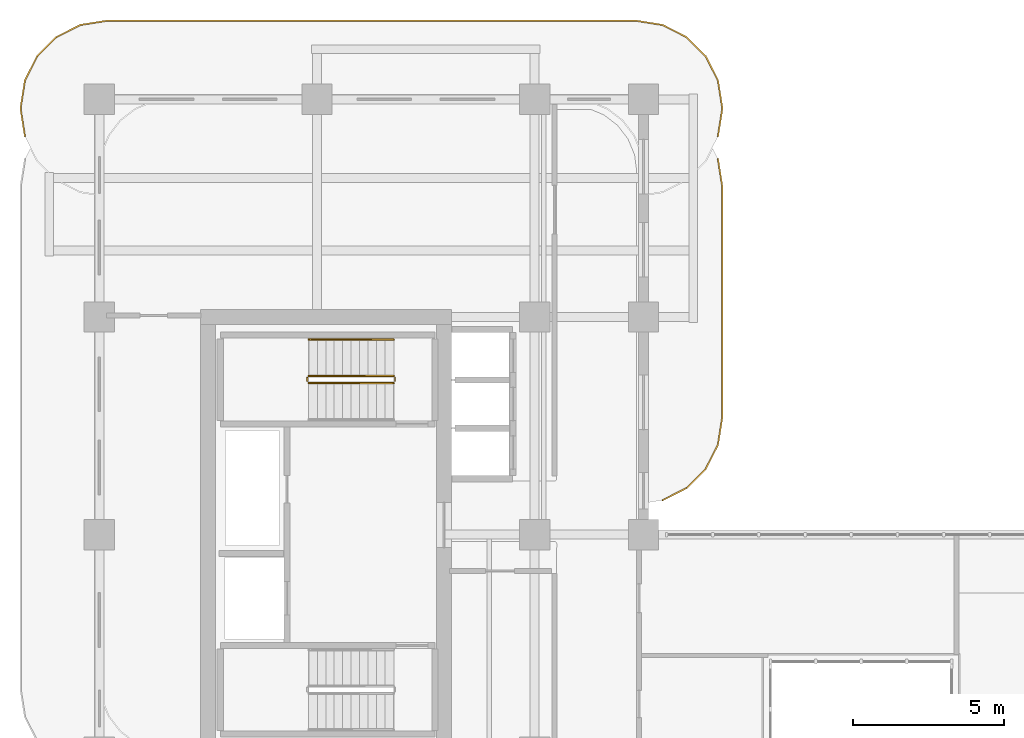
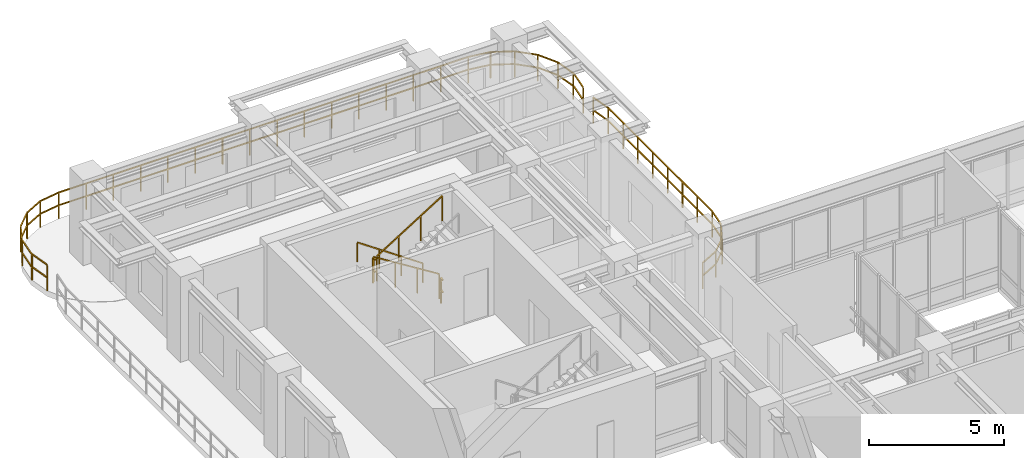
# One storey, part 20 of 20: 7 railings.
"""IFC4 building model written with IfcOpenShell, lengths in metres."""

from ifc_helpers import new_model, si_unit, derived_unit, direction, frame, origin, origin_2d, place, context, subcontext, project, spatial, rectangle, extrude, material, type_object, element, save


model = new_model("IFC4")

# Units and contexts
model_context = context("Model", 3, precision=1e-05, world=origin(), true_north=direction((0.0, 1.0)))
body_context = subcontext(model_context, "Body", "Model", "MODEL_VIEW")
ifc_project = project(units=[si_unit("LENGTHUNIT", "METRE"), si_unit("AREAUNIT", "SQUARE_METRE"), si_unit("VOLUMEUNIT", "CUBIC_METRE"), si_unit("PLANEANGLEUNIT", "RADIAN"), si_unit("MASSUNIT", "GRAM", prefix="KILO"), si_unit("THERMODYNAMICTEMPERATUREUNIT", "KELVIN"), si_unit("POWERUNIT", "WATT"), derived_unit("THERMALTRANSMITTANCEUNIT", [(si_unit("POWERUNIT", "WATT"), 1), (si_unit("AREAUNIT", "SQUARE_METRE"), -1), (si_unit("THERMODYNAMICTEMPERATUREUNIT", "KELVIN"), -1)])], contexts=[model_context])

# Site, building, storey
site_placement = place(None, origin())
site = spatial("IfcSite", under=ifc_project, at=site_placement, CompositionType="ELEMENT")
building_placement = place(site_placement, origin())
building = spatial("IfcBuilding", under=site, at=building_placement, Name="Zahravan Archway Hotel and Residences", CompositionType="ELEMENT")
storey_placement = place(building_placement, frame((0.0, 0.0, 154.14990234375)))
storey = spatial("IfcBuildingStorey", under=building, at=storey_placement, Name="L38", CompositionType="ELEMENT", Elevation=154.14990234375)

# Railings
ifc_material_1 = material(Name="Bronze & Laminated Glass Balustrade", Category="glass")
railing_type_1 = type_object("IfcRailingType", Name="RL-BAL-1200", PredefinedType="BALUSTRADE", material=ifc_material_1)
railing_1_placement = place(storey_placement, frame((-2.46044921875, 45.5693359375, 0.0)))
element("IfcRailing", 1, at=railing_1_placement, inside=storey, type_object=railing_type_1, Name="L38 Balustrade RL-SLB-BAL-L38-NB-1", PredefinedType="BALUSTRADE", context=body_context, shape_type="SweptSolid", body=[
    extrude(rectangle(XDim=0.048095703125, YDim=0.048095703125, at=origin_2d()), frame((0.0, 0.0, 1.17578125), z_axis=(-0.156623399917, 0.987658397726, 0.0), x_axis=(-0.987658397726, -0.156623399917, 0.0)), (0.0, 0.0, 1.0), 0.8916015625),
    extrude(rectangle(XDim=0.048095703125, YDim=0.048095703125, at=origin_2d()), frame((0.0, 0.0, 0.60009765625), z_axis=(-0.156623399917, 0.987658397726, 0.0), x_axis=(-0.987658397726, -0.156623399917, 0.0)), (0.0, 0.0, 1.0), 0.8916015625),
    extrude(rectangle(XDim=0.048095703125, YDim=0.048095703125, at=origin_2d()), frame((-0.1396484375, 0.880615234375, 1.17578125), z_axis=(0.0, 1.0, 0.0), x_axis=(-1.0, 0.0, 0.0)), (0.0, 0.0, 1.0), 0.10009765625),
    extrude(rectangle(XDim=0.048095703125, YDim=0.048095703125, at=origin_2d()), frame((-0.1396484375, 0.880615234375, 0.60009765625), z_axis=(0.0, 1.0, 0.0), x_axis=(-1.0, 0.0, 0.0)), (0.0, 0.0, 1.0), 0.10009765625),
    extrude(rectangle(XDim=0.048095703125, YDim=0.048095703125, at=origin_2d()), frame((-0.1396484375, 0.980712890625, 1.17578125), z_axis=(0.156623399917, 0.987658397726, 0.0), x_axis=(-0.987658397726, 0.156623399917, 0.0)), (0.0, 0.0, 1.0), 0.8916015625),
    extrude(rectangle(XDim=0.048095703125, YDim=0.048095703125, at=origin_2d()), frame((-0.1396484375, 0.980712890625, 0.60009765625), z_axis=(0.156623399917, 0.987658397726, 0.0), x_axis=(-0.987658397726, 0.156623399917, 0.0)), (0.0, 0.0, 1.0), 0.8916015625),
    extrude(rectangle(XDim=0.048095703125, YDim=0.048095703125, at=origin_2d()), frame((0.0, 1.861328125, 1.17578125), z_axis=(0.453991409995, 0.891006060389, 0.0), x_axis=(-0.891006060389, 0.453991409995, 0.0)), (0.0, 0.0, 1.0), 0.8916015625),
    extrude(rectangle(XDim=0.048095703125, YDim=0.048095703125, at=origin_2d()), frame((0.0, 1.861328125, 0.60009765625), z_axis=(0.453991409995, 0.891006060389, 0.0), x_axis=(-0.891006060389, 0.453991409995, 0.0)), (0.0, 0.0, 1.0), 0.8916015625),
    extrude(rectangle(XDim=0.048095703125, YDim=0.048095703125, at=origin_2d()), frame((0.40478515625, 2.65576171875, 1.17578125), z_axis=(0.706969864397, 0.70724367147, 0.0), x_axis=(-0.70724367147, 0.706969864397, 0.0)), (0.0, 0.0, 1.0), 0.8916015625),
    extrude(rectangle(XDim=0.048095703125, YDim=0.048095703125, at=origin_2d()), frame((0.40478515625, 2.65576171875, 0.60009765625), z_axis=(0.706969864397, 0.70724367147, 0.0), x_axis=(-0.70724367147, 0.706969864397, 0.0)), (0.0, 0.0, 1.0), 0.8916015625),
    extrude(rectangle(XDim=0.048095703125, YDim=0.048095703125, at=origin_2d()), frame((1.03515625, 3.286376953125, 1.17578125), z_axis=(0.891062476022, 0.45388067135, 0.0), x_axis=(-0.45388067135, 0.891062476022, 0.0)), (0.0, 0.0, 1.0), 0.891845703125),
    extrude(rectangle(XDim=0.048095703125, YDim=0.048095703125, at=origin_2d()), frame((1.03515625, 3.286376953125, 0.60009765625), z_axis=(0.891062476022, 0.45388067135, 0.0), x_axis=(-0.45388067135, 0.891062476022, 0.0)), (0.0, 0.0, 1.0), 0.891845703125),
    extrude(rectangle(XDim=0.048095703125, YDim=0.048095703125, at=origin_2d()), frame((1.829833984375, 3.691162109375, 1.17578125), z_axis=(0.987700720307, 0.156356282588, 0.0), x_axis=(-0.156356282588, 0.987700720307, 0.0)), (0.0, 0.0, 1.0), 0.8916015625),
    extrude(rectangle(XDim=0.048095703125, YDim=0.048095703125, at=origin_2d()), frame((1.829833984375, 3.691162109375, 0.60009765625), z_axis=(0.987700720307, 0.156356282588, 0.0), x_axis=(-0.156356282588, 0.987700720307, 0.0)), (0.0, 0.0, 1.0), 0.8916015625),
    extrude(rectangle(XDim=0.048095703125, YDim=0.048095703125, at=origin_2d()), frame((2.71044921875, 3.83056640625, 1.17578125), z_axis=(1.0, 0.0, 0.0), x_axis=(0.0, 1.0, 0.0)), (0.0, 0.0, 1.0), 17.5),
    extrude(rectangle(XDim=0.048095703125, YDim=0.048095703125, at=origin_2d()), frame((2.71044921875, 3.83056640625, 0.60009765625), z_axis=(1.0, 0.0, 0.0), x_axis=(0.0, 1.0, 0.0)), (0.0, 0.0, 1.0), 17.5),
    extrude(rectangle(XDim=0.048095703125, YDim=0.048095703125, at=origin_2d()), frame((20.21044921875, 3.83056640625, 1.17578125), z_axis=(0.987700720307, -0.156356282588, 0.0), x_axis=(0.156356282588, 0.987700720307, 0.0)), (0.0, 0.0, 1.0), 0.8916015625),
    extrude(rectangle(XDim=0.048095703125, YDim=0.048095703125, at=origin_2d()), frame((20.21044921875, 3.83056640625, 0.60009765625), z_axis=(0.987700720307, -0.156356282588, 0.0), x_axis=(0.156356282588, 0.987700720307, 0.0)), (0.0, 0.0, 1.0), 0.8916015625),
    extrude(rectangle(XDim=0.048095703125, YDim=0.048095703125, at=origin_2d()), frame((21.091064453125, 3.691162109375, 1.17578125), z_axis=(0.891062476022, -0.45388067135, 0.0), x_axis=(0.45388067135, 0.891062476022, 0.0)), (0.0, 0.0, 1.0), 0.891845703125),
    extrude(rectangle(XDim=0.048095703125, YDim=0.048095703125, at=origin_2d()), frame((21.091064453125, 3.691162109375, 0.60009765625), z_axis=(0.891062476022, -0.45388067135, 0.0), x_axis=(0.45388067135, 0.891062476022, 0.0)), (0.0, 0.0, 1.0), 0.891845703125),
    extrude(rectangle(XDim=0.048095703125, YDim=0.048095703125, at=origin_2d()), frame((21.8857421875, 3.286376953125, 1.17578125), z_axis=(0.706969864397, -0.70724367147, 0.0), x_axis=(0.70724367147, 0.706969864397, 0.0)), (0.0, 0.0, 1.0), 0.8916015625),
    extrude(rectangle(XDim=0.048095703125, YDim=0.048095703125, at=origin_2d()), frame((21.8857421875, 3.286376953125, 0.60009765625), z_axis=(0.706969864397, -0.70724367147, 0.0), x_axis=(0.70724367147, 0.706969864397, 0.0)), (0.0, 0.0, 1.0), 0.8916015625),
    extrude(rectangle(XDim=0.048095703125, YDim=0.048095703125, at=origin_2d()), frame((22.51611328125, 2.65576171875, 1.17578125), z_axis=(0.453991409995, -0.891006060389, 0.0), x_axis=(0.891006060389, 0.453991409995, 0.0)), (0.0, 0.0, 1.0), 0.8916015625),
    extrude(rectangle(XDim=0.048095703125, YDim=0.048095703125, at=origin_2d()), frame((22.51611328125, 2.65576171875, 0.60009765625), z_axis=(0.453991409995, -0.891006060389, 0.0), x_axis=(0.891006060389, 0.453991409995, 0.0)), (0.0, 0.0, 1.0), 0.8916015625),
    extrude(rectangle(XDim=0.048095703125, YDim=0.048095703125, at=origin_2d()), frame((22.9208984375, 1.861328125, 1.17578125), z_axis=(0.156623399917, -0.987658397726, 0.0), x_axis=(0.987658397726, 0.156623399917, 0.0)), (0.0, 0.0, 1.0), 0.8916015625),
    extrude(rectangle(XDim=0.048095703125, YDim=0.048095703125, at=origin_2d()), frame((22.9208984375, 1.861328125, 0.60009765625), z_axis=(0.156623399917, -0.987658397726, 0.0), x_axis=(0.987658397726, 0.156623399917, 0.0)), (0.0, 0.0, 1.0), 0.8916015625),
    extrude(rectangle(XDim=0.048095703125, YDim=0.048095703125, at=origin_2d()), frame((23.060546875, 0.980712890625, 1.17578125), z_axis=(0.0, -1.0, 0.0), x_axis=(1.0, 0.0, 0.0)), (0.0, 0.0, 1.0), 0.10009765625),
    extrude(rectangle(XDim=0.048095703125, YDim=0.048095703125, at=origin_2d()), frame((23.060546875, 0.980712890625, 0.60009765625), z_axis=(0.0, -1.0, 0.0), x_axis=(1.0, 0.0, 0.0)), (0.0, 0.0, 1.0), 0.10009765625),
    extrude(rectangle(XDim=0.048095703125, YDim=0.048095703125, at=origin_2d()), frame((23.060546875, 0.880615234375, 1.17578125), z_axis=(-0.156623399917, -0.987658397726, 0.0), x_axis=(0.987658397726, -0.156623399917, 0.0)), (0.0, 0.0, 1.0), 0.8916015625),
    extrude(rectangle(XDim=0.048095703125, YDim=0.048095703125, at=origin_2d()), frame((23.060546875, 0.880615234375, 0.60009765625), z_axis=(-0.156623399917, -0.987658397726, 0.0), x_axis=(0.987658397726, -0.156623399917, 0.0)), (0.0, 0.0, 1.0), 0.8916015625),
    extrude(rectangle(XDim=0.0419921875, YDim=0.0419921875, at=origin_2d()), origin(), (0.0, 0.0, 1.0), 1.15185546875),
    extrude(rectangle(XDim=0.0419921875, YDim=0.0419921875, at=origin_2d()), frame((-0.1396484375, 0.880615234375, 0.0)), (0.0, 0.0, 1.0), 1.15185546875),
    extrude(rectangle(XDim=0.0419921875, YDim=0.0419921875, at=origin_2d()), frame((0.0, 1.861328125, 0.0)), (0.0, 0.0, 1.0), 1.15185546875),
    extrude(rectangle(XDim=0.0419921875, YDim=0.0419921875, at=origin_2d()), frame((0.40478515625, 2.65576171875, 0.0)), (0.0, 0.0, 1.0), 1.15185546875),
    extrude(rectangle(XDim=0.0419921875, YDim=0.0419921875, at=origin_2d()), frame((1.03515625, 3.286376953125, 0.0)), (0.0, 0.0, 1.0), 1.15185546875),
    extrude(rectangle(XDim=0.0419921875, YDim=0.0419921875, at=origin_2d()), frame((1.829833984375, 3.691162109375, 0.0)), (0.0, 0.0, 1.0), 1.15185546875),
    extrude(rectangle(XDim=0.0419921875, YDim=0.0419921875, at=origin_2d()), frame((2.71044921875, 3.83056640625, 0.0)), (0.0, 0.0, 1.0), 1.15185546875),
    extrude(rectangle(XDim=0.0419921875, YDim=0.0419921875, at=origin_2d()), frame((3.877197265625, 3.83056640625, 0.0)), (0.0, 0.0, 1.0), 1.15185546875),
    extrude(rectangle(XDim=0.0419921875, YDim=0.0419921875, at=origin_2d()), frame((5.043701171875, 3.83056640625, 0.0)), (0.0, 0.0, 1.0), 1.15185546875),
    extrude(rectangle(XDim=0.0419921875, YDim=0.0419921875, at=origin_2d()), frame((6.21044921875, 3.83056640625, 0.0)), (0.0, 0.0, 1.0), 1.15185546875),
    extrude(rectangle(XDim=0.0419921875, YDim=0.0419921875, at=origin_2d()), frame((7.377197265625, 3.83056640625, 0.0)), (0.0, 0.0, 1.0), 1.15185546875),
    extrude(rectangle(XDim=0.0419921875, YDim=0.0419921875, at=origin_2d()), frame((8.543701171875, 3.83056640625, 0.0)), (0.0, 0.0, 1.0), 1.15185546875),
    extrude(rectangle(XDim=0.0419921875, YDim=0.0419921875, at=origin_2d()), frame((9.71044921875, 3.83056640625, 0.0)), (0.0, 0.0, 1.0), 1.15185546875),
    extrude(rectangle(XDim=0.0419921875, YDim=0.0419921875, at=origin_2d()), frame((10.877197265625, 3.83056640625, 0.0)), (0.0, 0.0, 1.0), 1.15185546875),
    extrude(rectangle(XDim=0.0419921875, YDim=0.0419921875, at=origin_2d()), frame((12.043701171875, 3.83056640625, 0.0)), (0.0, 0.0, 1.0), 1.15185546875),
    extrude(rectangle(XDim=0.0419921875, YDim=0.0419921875, at=origin_2d()), frame((13.21044921875, 3.83056640625, 0.0)), (0.0, 0.0, 1.0), 1.15185546875),
    extrude(rectangle(XDim=0.0419921875, YDim=0.0419921875, at=origin_2d()), frame((14.377197265625, 3.83056640625, 0.0)), (0.0, 0.0, 1.0), 1.15185546875),
    extrude(rectangle(XDim=0.0419921875, YDim=0.0419921875, at=origin_2d()), frame((15.543701171875, 3.83056640625, 0.0)), (0.0, 0.0, 1.0), 1.15185546875),
    extrude(rectangle(XDim=0.0419921875, YDim=0.0419921875, at=origin_2d()), frame((16.71044921875, 3.83056640625, 0.0)), (0.0, 0.0, 1.0), 1.15185546875),
    extrude(rectangle(XDim=0.0419921875, YDim=0.0419921875, at=origin_2d()), frame((17.877197265625, 3.83056640625, 0.0)), (0.0, 0.0, 1.0), 1.15185546875),
    extrude(rectangle(XDim=0.0419921875, YDim=0.0419921875, at=origin_2d()), frame((19.043701171875, 3.83056640625, 0.0)), (0.0, 0.0, 1.0), 1.15185546875),
    extrude(rectangle(XDim=0.0419921875, YDim=0.0419921875, at=origin_2d()), frame((20.21044921875, 3.83056640625, 0.0)), (0.0, 0.0, 1.0), 1.15185546875),
    extrude(rectangle(XDim=0.0419921875, YDim=0.0419921875, at=origin_2d()), frame((21.091064453125, 3.691162109375, 0.0)), (0.0, 0.0, 1.0), 1.15185546875),
    extrude(rectangle(XDim=0.0419921875, YDim=0.0419921875, at=origin_2d()), frame((21.8857421875, 3.286376953125, 0.0)), (0.0, 0.0, 1.0), 1.15185546875),
    extrude(rectangle(XDim=0.0419921875, YDim=0.0419921875, at=origin_2d()), frame((22.51611328125, 2.65576171875, 0.0)), (0.0, 0.0, 1.0), 1.15185546875),
    extrude(rectangle(XDim=0.0419921875, YDim=0.0419921875, at=origin_2d()), frame((22.9208984375, 1.861328125, 0.0)), (0.0, 0.0, 1.0), 1.15185546875),
    extrude(rectangle(XDim=0.0419921875, YDim=0.0419921875, at=origin_2d()), frame((23.060546875, 0.980712890625, 0.0)), (0.0, 0.0, 1.0), 1.15185546875),
    extrude(rectangle(XDim=0.0419921875, YDim=0.0419921875, at=origin_2d()), frame((22.9208984375, 0.0, 0.0)), (0.0, 0.0, 1.0), 1.15185546875),
])
railing_2_placement = place(storey_placement, frame((20.46044921875, 44.830810546875, 0.0)))
element("IfcRailing", 2, at=railing_2_placement, inside=storey, type_object=railing_type_1, Name="L38 Balustrade RL-SLB-BAL-L38-EB-1", PredefinedType="BALUSTRADE", context=body_context, shape_type="SweptSolid", body=[
    extrude(rectangle(XDim=0.048095703125, YDim=0.048095703125, at=origin_2d()), frame((0.0, 0.0, 1.17578125), z_axis=(0.156581054338, -0.98766511198, 0.0), x_axis=(0.98766511198, 0.156581054338, 0.0)), (0.0, 0.0, 1.0), 0.891845703125),
    extrude(rectangle(XDim=0.048095703125, YDim=0.048095703125, at=origin_2d()), frame((0.0, 0.0, 0.60009765625), z_axis=(0.156581054338, -0.98766511198, 0.0), x_axis=(0.98766511198, 0.156581054338, 0.0)), (0.0, 0.0, 1.0), 0.891845703125),
    extrude(rectangle(XDim=0.048095703125, YDim=0.048095703125, at=origin_2d()), frame((0.1396484375, -0.880859375, 1.17578125), z_axis=(0.0, -1.0, 0.0), x_axis=(1.0, 0.0, 0.0)), (0.0, 0.0, 1.0), 7.699951171875),
    extrude(rectangle(XDim=0.048095703125, YDim=0.048095703125, at=origin_2d()), frame((0.1396484375, -0.880859375, 0.60009765625), z_axis=(0.0, -1.0, 0.0), x_axis=(1.0, 0.0, 0.0)), (0.0, 0.0, 1.0), 7.699951171875),
    extrude(rectangle(XDim=0.048095703125, YDim=0.048095703125, at=origin_2d()), frame((0.1396484375, -8.580810546875, 1.17578125), z_axis=(-0.156623399917, -0.987658397726, 0.0), x_axis=(0.987658397726, -0.156623399917, 0.0)), (0.0, 0.0, 1.0), 0.8916015625),
    extrude(rectangle(XDim=0.048095703125, YDim=0.048095703125, at=origin_2d()), frame((0.1396484375, -8.580810546875, 0.60009765625), z_axis=(-0.156623399917, -0.987658397726, 0.0), x_axis=(0.987658397726, -0.156623399917, 0.0)), (0.0, 0.0, 1.0), 0.8916015625),
    extrude(rectangle(XDim=0.048095703125, YDim=0.048095703125, at=origin_2d()), frame((0.0, -9.46142578125, 1.17578125), z_axis=(-0.45388067135, -0.891062476022, 0.0), x_axis=(0.891062476022, -0.45388067135, 0.0)), (0.0, 0.0, 1.0), 0.891845703125),
    extrude(rectangle(XDim=0.048095703125, YDim=0.048095703125, at=origin_2d()), frame((0.0, -9.46142578125, 0.60009765625), z_axis=(-0.45388067135, -0.891062476022, 0.0), x_axis=(0.891062476022, -0.45388067135, 0.0)), (0.0, 0.0, 1.0), 0.891845703125),
    extrude(rectangle(XDim=0.048095703125, YDim=0.048095703125, at=origin_2d()), frame((-0.40478515625, -10.256103515625, 1.17578125), z_axis=(-0.707106781187, -0.707106781187, 0.0), x_axis=(0.707106781187, -0.707106781187, 0.0)), (0.0, 0.0, 1.0), 0.891357421875),
    extrude(rectangle(XDim=0.048095703125, YDim=0.048095703125, at=origin_2d()), frame((-0.40478515625, -10.256103515625, 0.60009765625), z_axis=(-0.707106781187, -0.707106781187, 0.0), x_axis=(0.707106781187, -0.707106781187, 0.0)), (0.0, 0.0, 1.0), 0.891357421875),
    extrude(rectangle(XDim=0.048095703125, YDim=0.048095703125, at=origin_2d()), frame((-1.03515625, -10.886474609375, 1.17578125), z_axis=(-0.891062476022, -0.45388067135, 0.0), x_axis=(0.45388067135, -0.891062476022, 0.0)), (0.0, 0.0, 1.0), 0.891845703125),
    extrude(rectangle(XDim=0.048095703125, YDim=0.048095703125, at=origin_2d()), frame((-1.03515625, -10.886474609375, 0.60009765625), z_axis=(-0.891062476022, -0.45388067135, 0.0), x_axis=(0.45388067135, -0.891062476022, 0.0)), (0.0, 0.0, 1.0), 0.891845703125),
    extrude(rectangle(XDim=0.0419921875, YDim=0.0419921875, at=origin_2d()), origin(), (0.0, 0.0, 1.0), 1.15185546875),
    extrude(rectangle(XDim=0.0419921875, YDim=0.0419921875, at=origin_2d()), frame((0.1396484375, -0.880859375, 0.0)), (0.0, 0.0, 1.0), 1.15185546875),
    extrude(rectangle(XDim=0.0419921875, YDim=0.0419921875, at=origin_2d()), frame((0.1396484375, -1.98095703125, 0.0)), (0.0, 0.0, 1.0), 1.15185546875),
    extrude(rectangle(XDim=0.0419921875, YDim=0.0419921875, at=origin_2d()), frame((0.1396484375, -3.080810546875, 0.0)), (0.0, 0.0, 1.0), 1.15185546875),
    extrude(rectangle(XDim=0.0419921875, YDim=0.0419921875, at=origin_2d()), frame((0.1396484375, -4.180908203125, 0.0)), (0.0, 0.0, 1.0), 1.15185546875),
    extrude(rectangle(XDim=0.0419921875, YDim=0.0419921875, at=origin_2d()), frame((0.1396484375, -5.28076171875, 0.0)), (0.0, 0.0, 1.0), 1.15185546875),
    extrude(rectangle(XDim=0.0419921875, YDim=0.0419921875, at=origin_2d()), frame((0.1396484375, -6.380859375, 0.0)), (0.0, 0.0, 1.0), 1.15185546875),
    extrude(rectangle(XDim=0.0419921875, YDim=0.0419921875, at=origin_2d()), frame((0.1396484375, -7.480712890625, 0.0)), (0.0, 0.0, 1.0), 1.15185546875),
    extrude(rectangle(XDim=0.0419921875, YDim=0.0419921875, at=origin_2d()), frame((0.1396484375, -8.580810546875, 0.0)), (0.0, 0.0, 1.0), 1.15185546875),
    extrude(rectangle(XDim=0.0419921875, YDim=0.0419921875, at=origin_2d()), frame((0.0, -9.46142578125, 0.0)), (0.0, 0.0, 1.0), 1.15185546875),
    extrude(rectangle(XDim=0.0419921875, YDim=0.0419921875, at=origin_2d()), frame((-0.40478515625, -10.256103515625, 0.0)), (0.0, 0.0, 1.0), 1.15185546875),
    extrude(rectangle(XDim=0.0419921875, YDim=0.0419921875, at=origin_2d()), frame((-1.03515625, -10.886474609375, 0.0)), (0.0, 0.0, 1.0), 1.15185546875),
    extrude(rectangle(XDim=0.0419921875, YDim=0.0419921875, at=origin_2d()), frame((-1.829833984375, -11.291259765625, 0.0)), (0.0, 0.0, 1.0), 1.15185546875),
])
ifc_material_2 = material(Name="Painted Tubular Steel", Category="steel")
railing_type_2 = type_object("IfcRailingType", Name="RL-STG-1150", PredefinedType="GUARDRAIL", material=ifc_material_2)
railing_3_placement = place(storey_placement, frame((9.72998046875, 37.64990234375, 0.175048828125)))
element("IfcRailing", 3, at=railing_3_placement, inside=storey, type_object=railing_type_2, Name="L38 ST-B2 stair guard 1", PredefinedType="GUARDRAIL", context=body_context, shape_type="SweptSolid", body=[
    extrude(rectangle(XDim=0.048095703125, YDim=0.048095703125, at=origin_2d()), frame((0.0, 0.0, 1.1259765625), z_axis=(-0.848002457836, 0.0, 0.529992293815), x_axis=(0.0, -1.0, 0.0)), (0.0, 0.0, 1.0), 3.302001953125),
    extrude(rectangle(XDim=0.0419921875, YDim=0.0419921875, at=origin_2d()), origin(), (0.0, 0.0, 1.0), 1.101806640625),
    extrude(rectangle(XDim=0.0419921875, YDim=0.0419921875, at=origin_2d()), frame((-0.933349609375, 0.0, 0.583251953125)), (0.0, 0.0, 1.0), 1.101806640625),
    extrude(rectangle(XDim=0.0419921875, YDim=0.0419921875, at=origin_2d()), frame((-1.86669921875, 0.0, 1.166748046875)), (0.0, 0.0, 1.0), 1.101806640625),
    extrude(rectangle(XDim=0.0419921875, YDim=0.0419921875, at=origin_2d()), frame((-2.800048828125, 0.0, 1.75)), (0.0, 0.0, 1.0), 1.101806640625),
])
railing_4_placement = place(storey_placement, frame((6.8798828125, 37.60009765625, 1.925048828125)))
element("IfcRailing", 4, at=railing_4_placement, inside=storey, type_object=railing_type_2, Name="L38 ST-B2 stair guard 2", PredefinedType="GUARDRAIL", context=body_context, shape_type="SweptSolid", body=[
    extrude(rectangle(XDim=0.048095703125, YDim=0.048095703125, at=origin_2d()), frame((0.0, 0.0, 1.1259765625), z_axis=(0.0, -1.0, 0.0), x_axis=(1.0, 0.0, 0.0)), (0.0, 0.0, 1.0), 0.14013671875),
    extrude(rectangle(XDim=0.048095703125, YDim=0.048095703125, at=origin_2d()), frame((0.0, 0.0, 0.574951171875), z_axis=(0.0, -1.0, 0.0), x_axis=(1.0, 0.0, 0.0)), (0.0, 0.0, 1.0), 0.14013671875),
    extrude(rectangle(XDim=0.0419921875, YDim=0.0419921875, at=origin_2d()), origin(), (0.0, 0.0, 1.0), 1.101806640625),
])
railing_5_placement = place(storey_placement, frame((6.929931640625, 37.409912109375, 2.10009765625)))
element("IfcRailing", 5, at=railing_5_placement, inside=storey, type_object=railing_type_2, Name="L38 ST-B2 stair guard 3", PredefinedType="GUARDRAIL", context=body_context, shape_type="SweptSolid", body=[
    extrude(rectangle(XDim=0.048095703125, YDim=0.048095703125, at=origin_2d()), frame((0.0, 0.0, 1.1259765625), z_axis=(0.848002457836, 0.0, 0.529992293815), x_axis=(0.0, 1.0, 0.0)), (0.0, 0.0, 1.0), 3.302001953125),
    extrude(rectangle(XDim=0.0419921875, YDim=0.0419921875, at=origin_2d()), origin(), (0.0, 0.0, 1.0), 1.101806640625),
    extrude(rectangle(XDim=0.0419921875, YDim=0.0419921875, at=origin_2d()), frame((0.933349609375, 0.0, 0.583251953125)), (0.0, 0.0, 1.0), 1.101806640625),
    extrude(rectangle(XDim=0.0419921875, YDim=0.0419921875, at=origin_2d()), frame((1.86669921875, 0.0, 1.166748046875)), (0.0, 0.0, 1.0), 1.101806640625),
    extrude(rectangle(XDim=0.0419921875, YDim=0.0419921875, at=origin_2d()), frame((2.800048828125, 0.0, 1.75)), (0.0, 0.0, 1.0), 1.101806640625),
])
railing_6_placement = place(storey_placement, frame((9.780029296875, 37.60009765625, 0.0)))
element("IfcRailing", 6, at=railing_6_placement, inside=storey, type_object=railing_type_2, Name="L38 ST-B2 stair guard 4", PredefinedType="GUARDRAIL", context=body_context, shape_type="SweptSolid", body=[
    extrude(rectangle(XDim=0.048095703125, YDim=0.048095703125, at=origin_2d()), frame((0.0, 0.0, 1.1259765625), z_axis=(0.0, -1.0, 0.0), x_axis=(1.0, 0.0, 0.0)), (0.0, 0.0, 1.0), 0.14013671875),
    extrude(rectangle(XDim=0.048095703125, YDim=0.048095703125, at=origin_2d()), frame((0.0, 0.0, 0.574951171875), z_axis=(0.0, -1.0, 0.0), x_axis=(1.0, 0.0, 0.0)), (0.0, 0.0, 1.0), 0.14013671875),
    extrude(rectangle(XDim=0.0419921875, YDim=0.0419921875, at=origin_2d()), origin(), (0.0, 0.0, 1.0), 1.101806640625),
])
ifc_material_3 = material(Name="Brushed Stainless Steel", Category="steel")
railing_type_3 = type_object("IfcRailingType", Name="RL-STH-900", PredefinedType="HANDRAIL", material=ifc_material_3)
railing_7_placement = place(storey_placement, frame((9.72998046875, 38.85009765625, 0.175048828125)))
element("IfcRailing", 7, at=railing_7_placement, inside=storey, type_object=railing_type_3, Name="L38 ST-B2 stair handrail 1", PredefinedType="HANDRAIL", context=body_context, shape_type="SweptSolid", body=[
    extrude(rectangle(XDim=0.048095703125, YDim=0.048095703125, at=origin_2d()), frame((0.0, 0.0, 0.8759765625), z_axis=(-0.824039827795, 0.0, 0.566531872191), x_axis=(0.0, -1.0, 0.0)), (0.0, 0.0, 1.0), 3.39794921875),
    extrude(rectangle(XDim=0.0419921875, YDim=0.0419921875, at=origin_2d()), origin(), (0.0, 0.0, 1.0), 0.851806640625),
    extrude(rectangle(XDim=0.0419921875, YDim=0.0419921875, at=origin_2d()), frame((-0.933349609375, 0.0, 0.6416015625)), (0.0, 0.0, 1.0), 0.851806640625),
    extrude(rectangle(XDim=0.0419921875, YDim=0.0419921875, at=origin_2d()), frame((-1.86669921875, 0.0, 1.283447265625)), (0.0, 0.0, 1.0), 0.851806640625),
    extrude(rectangle(XDim=0.0419921875, YDim=0.0419921875, at=origin_2d()), frame((-2.800048828125, 0.0, 1.925048828125)), (0.0, 0.0, 1.0), 0.851806640625),
])

save(model, "model.ifc")
